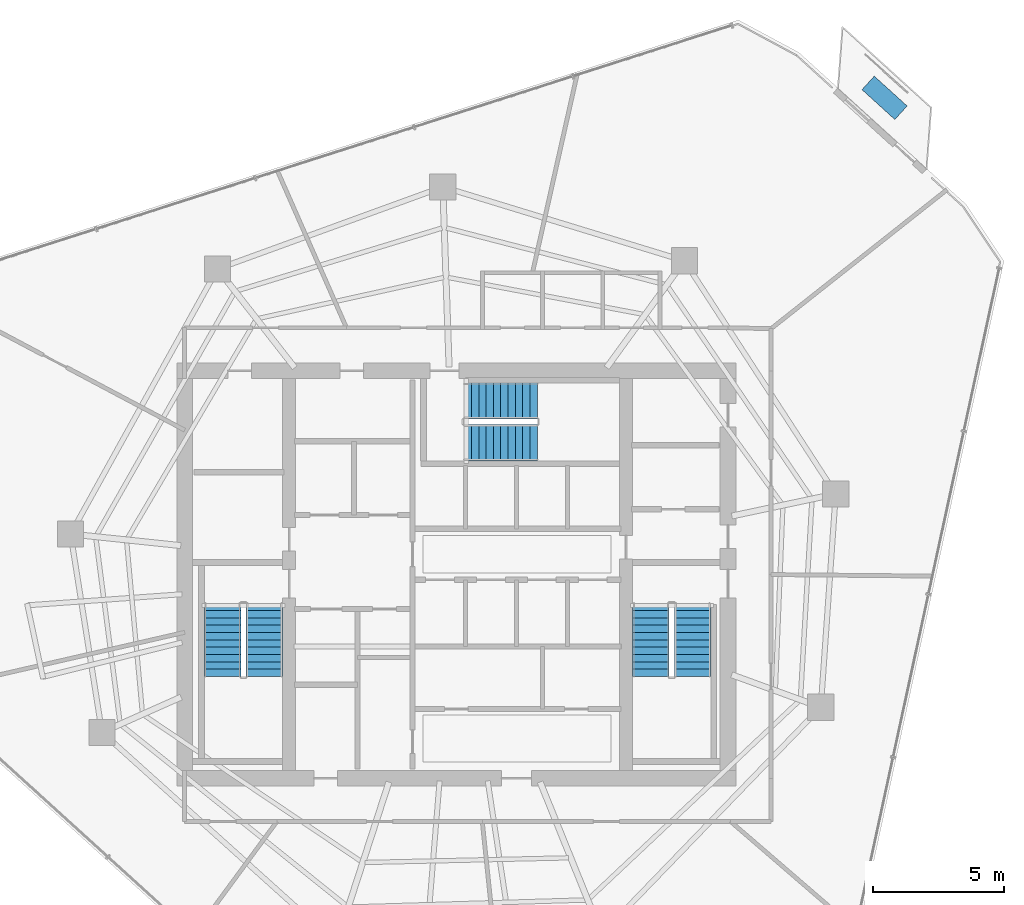
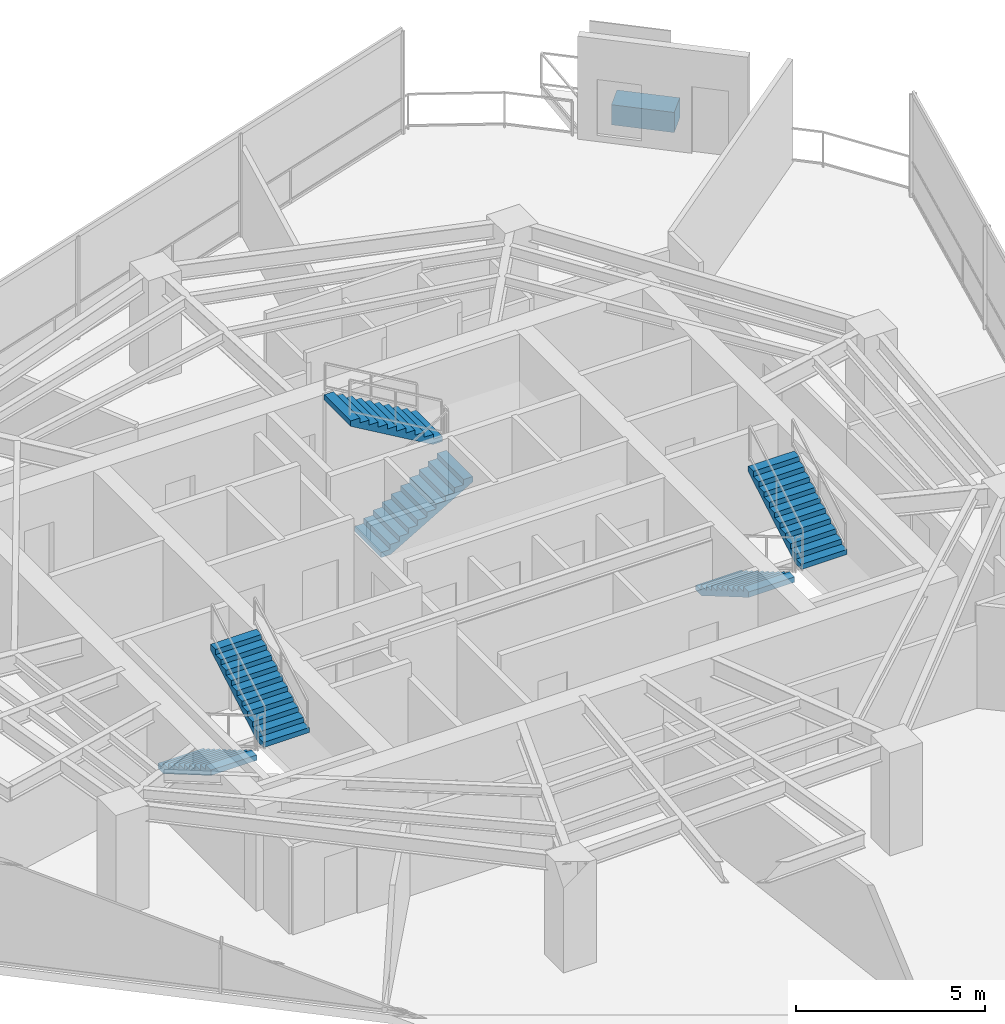
# One storey, part 19 of 21: 6 stair flights, 1 discrete accessory, 3 elements without a shape of their own.
"""IFC4 building model written with IfcOpenShell, lengths in metres."""

from ifc_helpers import new_model, si_unit, direction, frame, origin, origin_2d, place, context, subcontext, project, spatial, polyline, rectangle, outline, extrude, material, type_object, element, aggregate, save


model = new_model("IFC4")

# Units and contexts
model_context = context("Model", 3, precision=1e-05, world=origin(), true_north=direction((0.0, 1.0)))
body_context = subcontext(model_context, "Body", "Model", "MODEL_VIEW")
ifc_project = project(units=[si_unit("LENGTHUNIT", "METRE"), si_unit("AREAUNIT", "SQUARE_METRE"), si_unit("VOLUMEUNIT", "CUBIC_METRE"), si_unit("PLANEANGLEUNIT", "RADIAN"), si_unit("MASSUNIT", "GRAM", prefix="KILO")], contexts=[model_context])

# Site, building, storey
site_placement = place(None, origin())
site = spatial("IfcSite", under=ifc_project, at=site_placement, CompositionType="ELEMENT")
building_placement = place(site_placement, origin())
building = spatial("IfcBuilding", under=site, at=building_placement, Name="Qarnah Convention Tower", CompositionType="ELEMENT")
storey_placement = place(building_placement, frame((0.0, 0.0, 132.89990234375)))
storey = spatial("IfcBuildingStorey", under=building, at=storey_placement, Name="L35", CompositionType="ELEMENT", Elevation=132.89990234375)

# Stair, stair flights
ifc_material_1 = material(Name="Concrete C50/60", Category="concrete")
stair_type = type_object("IfcStairType", Name="STR-OFF", PredefinedType="HALF_TURN_STAIR", material=ifc_material_1)
stair_1_placement = place(storey_placement, origin())
stair_1 = element("IfcStair", 1, at=stair_1_placement, inside=storey, type_object=stair_type, Name="L35 Core exit stair ST-1", PredefinedType="HALF_TURN_STAIR")
stair_flight_type = type_object("IfcStairFlightType", Name="FLT-OFF", PredefinedType="STRAIGHT", material=ifc_material_1)
stair_flight_1_placement = place(storey_placement, frame((28.25, 25.300048828125, 0.0), z_axis=(0.0, 0.0, 1.0), x_axis=(0.0, -1.0, 0.0)))
stair_flight_1 = element("IfcStairFlight", 2, at=stair_flight_1_placement, type_object=stair_flight_type, Name="ST-1 flight 1", NumberOfRisers=11, NumberOfTreads=10, PredefinedType="STRAIGHT", RiserHeight=0.163636364, TreadLength=0.28, context=body_context, shape_type="SweptSolid", body=[
    extrude(outline(polyline([(0.0, 0.0), (0.0, 0.16357421875), (0.280029296875, 0.16357421875), (0.280029296875, 0.327392578125), (0.56005859375, 0.327392578125), (0.56005859375, 0.490966796875), (0.840087890625, 0.490966796875), (0.840087890625, 0.654541015625), (1.1201171875, 0.654541015625), (1.1201171875, 0.818115234375), (1.39990234375, 0.818115234375), (1.39990234375, 0.98193359375), (1.679931640625, 0.98193359375), (1.679931640625, 1.1455078125), (1.9599609375, 1.1455078125), (1.9599609375, 1.30908203125), (2.239990234375, 1.30908203125), (2.239990234375, 1.47265625), (2.52001953125, 1.47265625), (2.52001953125, 1.636474609375), (2.800048828125, 1.636474609375), (2.800048828125, 1.800048828125), (2.800048828125, 1.462646484375), (0.297119140625, 0.0), (0.0, 0.0)])), frame((0.0, 0.699951171875, 0.0), z_axis=(0.0, -1.0, 0.0), x_axis=(1.0, 0.0, 0.0)), (0.0, 0.0, 1.0), 1.39990234375),
])
stair_flight_2_placement = place(storey_placement, frame((29.85009765625, 22.5, 1.800048828125), z_axis=(0.0, 0.0, 1.0), x_axis=(0.0, 1.0, 0.0)))
stair_flight_2 = element("IfcStairFlight", 3, at=stair_flight_2_placement, type_object=stair_flight_type, Name="ST-1 flight 2", NumberOfRisers=11, NumberOfTreads=10, PredefinedType="STRAIGHT", RiserHeight=0.163636364, TreadLength=0.28, context=body_context, shape_type="SweptSolid", body=[
    extrude(outline(polyline([(0.0, 0.0), (0.0, 0.16357421875), (0.280029296875, 0.16357421875), (0.280029296875, 0.327392578125), (0.56005859375, 0.327392578125), (0.56005859375, 0.490966796875), (0.840087890625, 0.490966796875), (0.840087890625, 0.654541015625), (1.1201171875, 0.654541015625), (1.1201171875, 0.818115234375), (1.39990234375, 0.818115234375), (1.39990234375, 0.98193359375), (1.679931640625, 0.98193359375), (1.679931640625, 1.1455078125), (1.9599609375, 1.1455078125), (1.9599609375, 1.30908203125), (2.239990234375, 1.30908203125), (2.239990234375, 1.47265625), (2.52001953125, 1.47265625), (2.52001953125, 1.636474609375), (2.800048828125, 1.636474609375), (2.800048828125, 1.800048828125), (2.800048828125, 1.462646484375), (0.297119140625, 0.0), (0.0, 0.0)])), frame((0.0, 0.699951171875, 0.0), z_axis=(0.0, -1.0, 0.0), x_axis=(1.0, 0.0, 0.0)), (0.0, 0.0, 1.0), 1.39990234375),
])
aggregate(stair_1, [stair_flight_1, stair_flight_2])

stair_2_placement = place(storey_placement, origin())
stair_2 = element("IfcStair", 4, at=stair_2_placement, inside=storey, type_object=stair_type, Name="L35 Core exit stair ST-2", PredefinedType="HALF_TURN_STAIR")
stair_flight_3_placement = place(storey_placement, frame((44.64990234375, 25.300048828125, 0.0), z_axis=(0.0, 0.0, 1.0), x_axis=(0.0, -1.0, 0.0)))
stair_flight_3 = element("IfcStairFlight", 5, at=stair_flight_3_placement, type_object=stair_flight_type, Name="ST-2 flight 1", NumberOfRisers=11, NumberOfTreads=10, PredefinedType="STRAIGHT", RiserHeight=0.163636364, TreadLength=0.28, context=body_context, shape_type="SweptSolid", body=[
    extrude(outline(polyline([(0.0, 0.0), (0.0, 0.16357421875), (0.280029296875, 0.16357421875), (0.280029296875, 0.327392578125), (0.56005859375, 0.327392578125), (0.56005859375, 0.490966796875), (0.840087890625, 0.490966796875), (0.840087890625, 0.654541015625), (1.1201171875, 0.654541015625), (1.1201171875, 0.818115234375), (1.39990234375, 0.818115234375), (1.39990234375, 0.98193359375), (1.679931640625, 0.98193359375), (1.679931640625, 1.1455078125), (1.9599609375, 1.1455078125), (1.9599609375, 1.30908203125), (2.239990234375, 1.30908203125), (2.239990234375, 1.47265625), (2.52001953125, 1.47265625), (2.52001953125, 1.636474609375), (2.800048828125, 1.636474609375), (2.800048828125, 1.800048828125), (2.800048828125, 1.462646484375), (0.297119140625, 0.0), (0.0, 0.0)])), frame((0.0, 0.699951171875, 0.0), z_axis=(0.0, -1.0, 0.0), x_axis=(1.0, 0.0, 0.0)), (0.0, 0.0, 1.0), 1.39990234375),
])
stair_flight_4_placement = place(storey_placement, frame((46.25, 22.5, 1.800048828125), z_axis=(0.0, 0.0, 1.0), x_axis=(0.0, 1.0, 0.0)))
stair_flight_4 = element("IfcStairFlight", 6, at=stair_flight_4_placement, type_object=stair_flight_type, Name="ST-2 flight 2", NumberOfRisers=11, NumberOfTreads=10, PredefinedType="STRAIGHT", RiserHeight=0.163636364, TreadLength=0.28, context=body_context, shape_type="SweptSolid", body=[
    extrude(outline(polyline([(0.0, 0.0), (0.0, 0.16357421875), (0.280029296875, 0.16357421875), (0.280029296875, 0.327392578125), (0.56005859375, 0.327392578125), (0.56005859375, 0.490966796875), (0.840087890625, 0.490966796875), (0.840087890625, 0.654541015625), (1.1201171875, 0.654541015625), (1.1201171875, 0.818115234375), (1.39990234375, 0.818115234375), (1.39990234375, 0.98193359375), (1.679931640625, 0.98193359375), (1.679931640625, 1.1455078125), (1.9599609375, 1.1455078125), (1.9599609375, 1.30908203125), (2.239990234375, 1.30908203125), (2.239990234375, 1.47265625), (2.52001953125, 1.47265625), (2.52001953125, 1.636474609375), (2.800048828125, 1.636474609375), (2.800048828125, 1.800048828125), (2.800048828125, 1.462646484375), (0.297119140625, 0.0), (0.0, 0.0)])), frame((0.0, 0.699951171875, 0.0), z_axis=(0.0, -1.0, 0.0), x_axis=(1.0, 0.0, 0.0)), (0.0, 0.0, 1.0), 1.39990234375),
])
aggregate(stair_2, [stair_flight_3, stair_flight_4])

stair_3_placement = place(storey_placement, origin())
stair_3 = element("IfcStair", 7, at=stair_3_placement, inside=storey, type_object=stair_type, Name="L35 Core exit stair ST-3", PredefinedType="HALF_TURN_STAIR")
stair_flight_5_placement = place(storey_placement, frame((37.5, 31.449951171875, 0.0), z_axis=(0.0, 0.0, 1.0), x_axis=(1.0, 0.0, 0.0)))
stair_flight_5 = element("IfcStairFlight", 8, at=stair_flight_5_placement, type_object=stair_flight_type, Name="ST-3 flight 1", NumberOfRisers=11, NumberOfTreads=10, PredefinedType="STRAIGHT", RiserHeight=0.163636364, TreadLength=0.28, context=body_context, shape_type="SweptSolid", body=[
    extrude(outline(polyline([(0.0, 0.0), (0.0, 0.16357421875), (0.280029296875, 0.16357421875), (0.280029296875, 0.327392578125), (0.56005859375, 0.327392578125), (0.56005859375, 0.490966796875), (0.840087890625, 0.490966796875), (0.840087890625, 0.654541015625), (1.1201171875, 0.654541015625), (1.1201171875, 0.818115234375), (1.39990234375, 0.818115234375), (1.39990234375, 0.98193359375), (1.679931640625, 0.98193359375), (1.679931640625, 1.1455078125), (1.9599609375, 1.1455078125), (1.9599609375, 1.30908203125), (2.239990234375, 1.30908203125), (2.239990234375, 1.47265625), (2.52001953125, 1.47265625), (2.52001953125, 1.636474609375), (2.800048828125, 1.636474609375), (2.800048828125, 1.800048828125), (2.800048828125, 1.462646484375), (0.297119140625, 0.0), (0.0, 0.0)])), frame((0.0, 0.699951171875, 0.0), z_axis=(0.0, -1.0, 0.0), x_axis=(1.0, 0.0, 0.0)), (0.0, 0.0, 1.0), 1.39990234375),
])
stair_flight_6_placement = place(storey_placement, frame((40.300048828125, 33.050048828125, 1.800048828125), z_axis=(0.0, 0.0, 1.0), x_axis=(-1.0, 0.0, 0.0)))
stair_flight_6 = element("IfcStairFlight", 9, at=stair_flight_6_placement, type_object=stair_flight_type, Name="ST-3 flight 2", NumberOfRisers=11, NumberOfTreads=10, PredefinedType="STRAIGHT", RiserHeight=0.163636364, TreadLength=0.28, context=body_context, shape_type="SweptSolid", body=[
    extrude(outline(polyline([(0.0, 0.0), (0.0, 0.16357421875), (0.280029296875, 0.16357421875), (0.280029296875, 0.327392578125), (0.56005859375, 0.327392578125), (0.56005859375, 0.490966796875), (0.840087890625, 0.490966796875), (0.840087890625, 0.654541015625), (1.1201171875, 0.654541015625), (1.1201171875, 0.818115234375), (1.39990234375, 0.818115234375), (1.39990234375, 0.98193359375), (1.679931640625, 0.98193359375), (1.679931640625, 1.1455078125), (1.9599609375, 1.1455078125), (1.9599609375, 1.30908203125), (2.239990234375, 1.30908203125), (2.239990234375, 1.47265625), (2.52001953125, 1.47265625), (2.52001953125, 1.636474609375), (2.800048828125, 1.636474609375), (2.800048828125, 1.800048828125), (2.800048828125, 1.462646484375), (0.297119140625, 0.0), (0.0, 0.0)])), frame((0.0, 0.699951171875, 0.0), z_axis=(0.0, -1.0, 0.0), x_axis=(1.0, 0.0, 0.0)), (0.0, 0.0, 1.0), 1.39990234375),
])
aggregate(stair_3, [stair_flight_5, stair_flight_6])

# Discrete accessory
ifc_material_2 = material(Name="Precast concrete C45/55", Category="concrete")
discrete_accessory_type = type_object("IfcDiscreteAccessoryType", Name="ACC-PLANTER-900", PredefinedType="USERDEFINED", material=ifc_material_2)
discrete_accessory_placement = place(storey_placement, frame((53.594970703125, 44.652099609375, 0.000244140625), z_axis=(0.0, 0.0, 1.0), x_axis=(-0.740452782677, 0.672108381607, 0.0)))
element("IfcDiscreteAccessory", 10, at=discrete_accessory_placement, inside=storey, type_object=discrete_accessory_type, Name="L35 irrigated desert balcony PLANTER BAL-L35-C1", ObjectType="PLANTER", PredefinedType="USERDEFINED", context=body_context, shape_type="SweptSolid", body=[
    extrude(rectangle(XDim=1.699951171875, YDim=0.699951171875, at=origin_2d()), origin(), (0.0, 0.0, 1.0), 0.64990234375),
])

save(model, "model.ifc")
